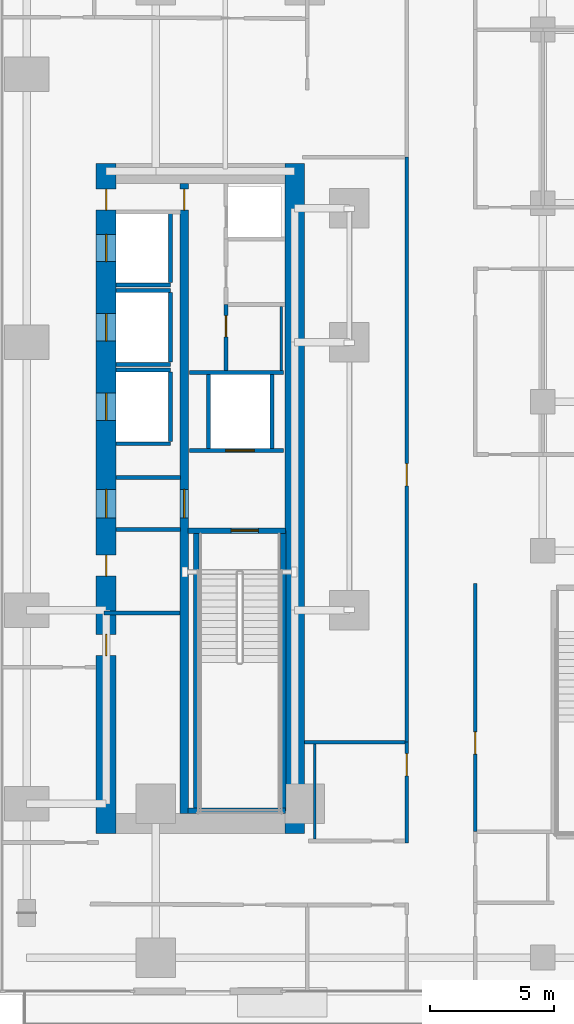
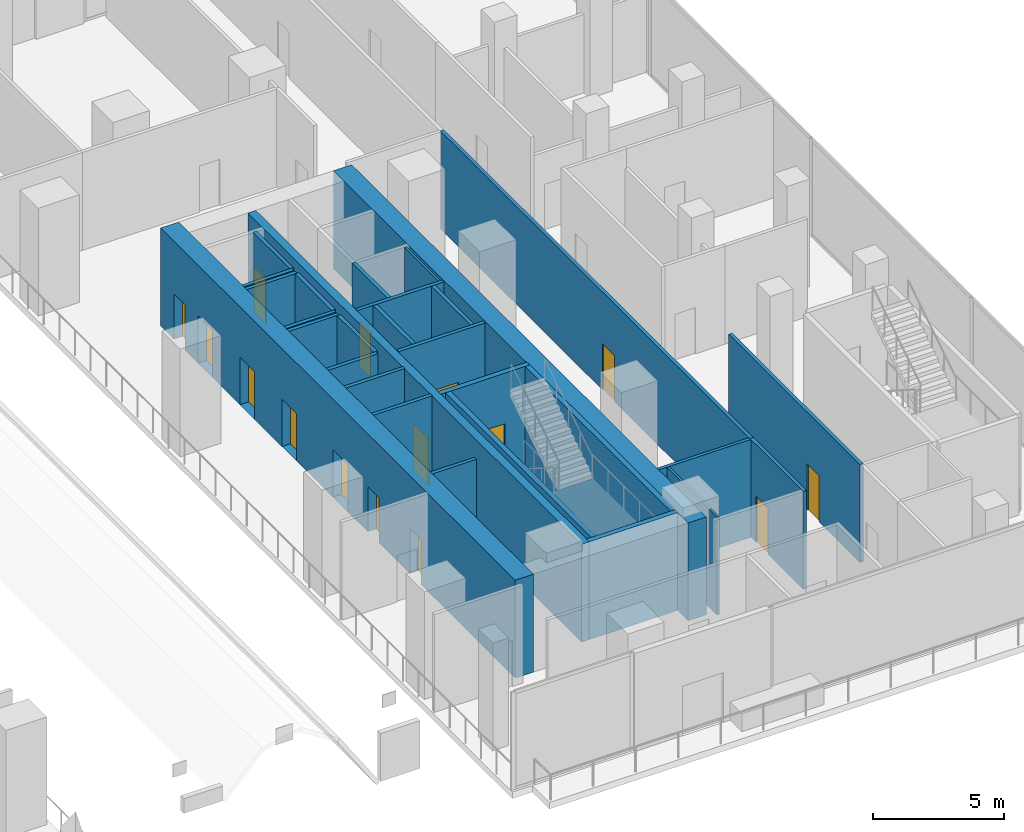
# One storey, part 12 of 32: 29 walls, 15 doors, 15 openings.
"""IFC4 building model written with IfcOpenShell, lengths in metres."""

from ifc_helpers import new_model, si_unit, direction, frame, frame_2d, origin, place, context, subcontext, project, spatial, rectangle, extrude, material, layer, layer_set, type_object, element, fill, save


model = new_model("IFC4")

# Units and contexts
model_context = context("Model", 3, precision=1e-05, world=origin(), true_north=direction((0.0, 1.0)))
body_context = subcontext(model_context, "Body", "Model", "MODEL_VIEW")
ifc_project = project(units=[si_unit("LENGTHUNIT", "METRE"), si_unit("AREAUNIT", "SQUARE_METRE"), si_unit("VOLUMEUNIT", "CUBIC_METRE"), si_unit("PLANEANGLEUNIT", "RADIAN"), si_unit("MASSUNIT", "GRAM", prefix="KILO")], contexts=[model_context])

# Site, building, storey
site_placement = place(None, origin())
site = spatial("IfcSite", under=ifc_project, at=site_placement, CompositionType="ELEMENT")
building_placement = place(site_placement, origin())
building = spatial("IfcBuilding", under=site, at=building_placement, Name="Khairoan Windgate Tower", CompositionType="ELEMENT")
storey_placement = place(building_placement, frame((0.0, 0.0, 16.0)))
storey = spatial("IfcBuildingStorey", under=building, at=storey_placement, Name="L04", CompositionType="ELEMENT", Elevation=16.0)

# Walls
ifc_material_1 = material(Name="Moisture-Resistant Gypsum Partition", Category="gypsum")
ifc_layer_1 = layer(ifc_material_1, 0.10009765625, Name="Moisture-Resistant Gypsum Partition")
ifc_layer_set_1 = layer_set([ifc_layer_1], Name="Moisture-Resistant Gypsum Partition")
wall_type_1 = type_object("IfcWallType", Name="Bathroom Wet-Area Partition Wall", PredefinedType="PARTITIONING", material=ifc_layer_set_1)
wall_1_placement = place(storey_placement, frame((19.449951171875, 1.449951171875, 0.0), z_axis=(0.0, 0.0, 1.0), x_axis=(0.0, -1.0, 0.0)))
element("IfcWall", 1, at=wall_1_placement, inside=storey, type_object=wall_type_1, Name="L04 Wet Room Side Wall 066", PredefinedType="PARTITIONING", context=body_context, shape_type="SweptSolid", body=[
    extrude(rectangle(XDim=2.58984375, YDim=0.10009765625, at=frame_2d((1.294921875, 0.0))), origin(), (0.0, 0.0, 1.0), 4.550048828125),
])
wall_2_placement = place(storey_placement, frame((20.800048828125, -20.02490234375, 0.0), z_axis=(0.0, 0.0, 1.0), x_axis=(0.0, 1.0, 0.0)))
element("IfcWall", 2, at=wall_2_placement, inside=storey, type_object=wall_type_1, Name="L04 Wet Room Side Wall 067", PredefinedType="PARTITIONING", context=body_context, shape_type="SweptSolid", body=[
    extrude(rectangle(XDim=3.8349609375, YDim=0.10009765625, at=frame_2d((1.91748046875, 0.0))), origin(), (0.0, 0.0, 1.0), 4.550048828125),
])
ifc_material_2 = material(Name="Concrete C40/50", Category="concrete")
ifc_layer_2 = layer(ifc_material_2, 0.159912109375, Name="Concrete C40/50")
ifc_layer_set_2 = layer_set([ifc_layer_2], Name="Concrete C40/50")
wall_type_2 = type_object("IfcWallType", Name="Core and Hoistway Enclosure Wall", PredefinedType="STANDARD", material=ifc_layer_set_2)
wall_3_placement = place(storey_placement, frame((12.800048828125, 2.31005859375, 0.0), z_axis=(0.0, 0.0, 1.0), x_axis=(1.0, 0.0, 0.0)))
element("IfcWall", 3, at=wall_3_placement, inside=storey, type_object=wall_type_2, Name="L04 Lift PL7 Hoistway Divider S", PredefinedType="STANDARD", context=body_context, shape_type="SweptSolid", body=[
    extrude(rectangle(XDim=2.18994140625, YDim=0.159912109375, at=frame_2d((1.094970703125, 0.0))), origin(), (0.0, 0.0, 1.0), 4.550048828125),
])
wall_4_placement = place(storey_placement, frame((14.989990234375, 2.39990234375, 0.0), z_axis=(0.0, 0.0, 1.0), x_axis=(0.0, 1.0, 0.0)))
element("IfcWall", 4, at=wall_4_placement, inside=storey, type_object=wall_type_2, Name="L04 Lift PL7 Hoistway Back Wall", PredefinedType="STANDARD", context=body_context, shape_type="SweptSolid", body=[
    extrude(rectangle(XDim=2.800048828125, YDim=0.159912109375, at=frame_2d((1.39990234375, 0.0))), origin(), (0.0, 0.0, 1.0), 4.550048828125),
])
for number, where, z_axis, x_axis, name in (
    (5, (12.800048828125, -0.889892578125, 0.0), (0.0, 0.0, 1.0), (1.0, 0.0, 0.0), "L04 Lift PL8 Hoistway Divider S"),
    (6, (12.800048828125, 2.090087890625, 0.0), (0.0, 0.0, 1.0), (1.0, 0.0, 0.0), "L04 Lift PL8 Hoistway Divider N"),
):
    element("IfcWall", number, at=place(storey_placement, frame(where, z_axis=z_axis, x_axis=x_axis)), inside=storey, type_object=wall_type_2, Name=name, PredefinedType="STANDARD", context=body_context, shape_type="SweptSolid", body=[
        extrude(rectangle(XDim=2.18994140625, YDim=0.159912109375, at=frame_2d((1.094970703125, 0.0))), origin(), (0.0, 0.0, 1.0), 4.550048828125),
    ])
wall_5_placement = place(storey_placement, frame((14.989990234375, -0.800048828125, 0.0), z_axis=(0.0, 0.0, 1.0), x_axis=(0.0, 1.0, 0.0)))
element("IfcWall", 7, at=wall_5_placement, inside=storey, type_object=wall_type_2, Name="L04 Lift PL8 Hoistway Back Wall", PredefinedType="STANDARD", context=body_context, shape_type="SweptSolid", body=[
    extrude(rectangle(XDim=2.800048828125, YDim=0.159912109375, at=frame_2d((1.39990234375, 0.0))), origin(), (0.0, 0.0, 1.0), 4.550048828125),
])
for number, where, z_axis, x_axis, name in (
    (8, (12.800048828125, -4.090087890625, 0.0), (0.0, 0.0, 1.0), (1.0, 0.0, 0.0), "L04 Lift PL9 Hoistway Divider S"),
    (9, (12.800048828125, -1.110107421875, 0.0), (0.0, 0.0, 1.0), (1.0, 0.0, 0.0), "L04 Lift PL9 Hoistway Divider N"),
):
    element("IfcWall", number, at=place(storey_placement, frame(where, z_axis=z_axis, x_axis=x_axis)), inside=storey, type_object=wall_type_2, Name=name, PredefinedType="STANDARD", context=body_context, shape_type="SweptSolid", body=[
        extrude(rectangle(XDim=2.18994140625, YDim=0.159912109375, at=frame_2d((1.094970703125, 0.0))), origin(), (0.0, 0.0, 1.0), 4.550048828125),
    ])
wall_6_placement = place(storey_placement, frame((14.989990234375, -4.0, 0.0), z_axis=(0.0, 0.0, 1.0), x_axis=(0.0, 1.0, 0.0)))
element("IfcWall", 10, at=wall_6_placement, inside=storey, type_object=wall_type_2, Name="L04 Lift PL9 Hoistway Back Wall", PredefinedType="STANDARD", context=body_context, shape_type="SweptSolid", body=[
    extrude(rectangle(XDim=2.800048828125, YDim=0.159912109375, at=frame_2d((1.39990234375, 0.0))), origin(), (0.0, 0.0, 1.0), 4.550048828125),
])

# Wall, opening, door
wall_7_placement = place(storey_placement, frame((15.75, -4.360107421875, 0.0), z_axis=(0.0, 0.0, 1.0), x_axis=(1.0, 0.0, 0.0)))
wall_7 = element("IfcWall", 11, at=wall_7_placement, inside=storey, type_object=wall_type_2, Name="L04 Core Shaft Wall SW-FL1-L04", PredefinedType="STANDARD", context=body_context, shape_type="SweptSolid", body=[
    extrude(rectangle(XDim=3.800048828125, YDim=0.159912109375, at=frame_2d((1.89990234375, 0.0))), origin(), (0.0, 0.0, 1.0), 4.550048828125),
])
opening_1_placement = place(wall_7_placement, frame((1.469970703125, 0.0, 0.0)))
opening_1 = element("IfcOpeningElement", 12, at=opening_1_placement, cuts=wall_7, Name="Opening LD-FL", PredefinedType="OPENING", context=body_context, shape_type="SweptSolid", body=[
    extrude(rectangle(XDim=1.14990234375, YDim=2.199951171875, at=frame_2d((0.574951171875, 1.10009765625))), frame((0.0, 0.08984375, 0.0), z_axis=(0.0, -1.0, 0.0), x_axis=(1.0, 0.0, 0.0)), (0.0, 0.0, 1.0), 0.179931640625),
])
ifc_material_3 = material(Name="Steel S355", Category="steel")
door_type_1 = type_object("IfcDoorType", Name="Firefighting Lift Sliding Landing Door LD-FL 1150x2200", OperationType="DOUBLE_DOOR_SLIDING", PredefinedType="DOOR", material=ifc_material_3)
door_1_placement = place(opening_1_placement, origin())
door_1 = element("IfcDoor", 13, at=door_1_placement, inside=storey, type_object=door_type_1, Name="L04 Firefighting Lift FL1 Landing Door", OperationType="DOUBLE_DOOR_SLIDING", OverallHeight=2.199951171875, OverallWidth=1.14990234375, PredefinedType="DOOR", context=body_context, shape_type="SweptSolid", body=[
    extrude(rectangle(XDim=1.14990234375, YDim=2.199951171875, at=frame_2d((0.574951171875, 1.10009765625))), frame((0.0, 0.02490234375, 0.0), z_axis=(0.0, -1.0, 0.0), x_axis=(1.0, 0.0, 0.0)), (0.0, 0.0, 1.0), 0.050048828125),
])
fill(opening_1, door_1)

# Walls
wall_8_placement = place(storey_placement, frame((15.75, -1.219970703125, 0.0), z_axis=(0.0, 0.0, 1.0), x_axis=(1.0, 0.0, 0.0)))
element("IfcWall", 14, at=wall_8_placement, inside=storey, type_object=wall_type_2, Name="L04 Core Shaft Wall SW-FL1T-L04", PredefinedType="STANDARD", context=body_context, shape_type="SweptSolid", body=[
    extrude(rectangle(XDim=3.800048828125, YDim=0.159912109375, at=frame_2d((1.89990234375, 0.0))), origin(), (0.0, 0.0, 1.0), 4.550048828125),
])
for number, where, z_axis, x_axis, name in (
    (15, (16.52001953125, -4.280029296875, 0.0), (0.0, 0.0, 1.0), (0.0, 1.0, 0.0), "L04 Core Shaft Wall SW-FL1W-L04"),
    (16, (19.080078125, -4.280029296875, 0.0), (0.0, 0.0, 1.0), (0.0, 1.0, 0.0), "L04 Core Shaft Wall SW-FL1E-L04"),
):
    element("IfcWall", number, at=place(storey_placement, frame(where, z_axis=z_axis, x_axis=x_axis)), inside=storey, type_object=wall_type_2, Name=name, PredefinedType="STANDARD", context=body_context, shape_type="SweptSolid", body=[
        extrude(rectangle(XDim=2.97998046875, YDim=0.159912109375, at=frame_2d((1.489990234375, 0.0))), origin(), (0.0, 0.0, 1.0), 4.550048828125),
    ])
for number, where, z_axis, x_axis, name in (
    (17, (12.800048828125, -5.449951171875, 0.0), (0.0, 0.0, 1.0), (1.0, 0.0, 0.0), "L04 Core Shaft Wall SW-EV1-L04"),
    (18, (12.800048828125, -7.5400390625, 0.0), (0.0, 0.0, 1.0), (1.0, 0.0, 0.0), "L04 Core Shaft Wall SW-EV2-L04"),
):
    element("IfcWall", number, at=place(storey_placement, frame(where, z_axis=z_axis, x_axis=x_axis)), inside=storey, type_object=wall_type_2, Name=name, PredefinedType="STANDARD", context=body_context, shape_type="SweptSolid", body=[
        extrude(rectangle(XDim=2.599853515625, YDim=0.159912109375, at=frame_2d((1.2998046875, 0.0))), origin(), (0.0, 0.0, 1.0), 4.550048828125),
    ])
ifc_material_4 = material(Name="Acoustic Fire-Rated Gypsum Partition", Category="gypsum")
ifc_layer_3 = layer(ifc_material_4, 0.139892578125, Name="Acoustic Fire-Rated Gypsum Partition")
ifc_layer_set_3 = layer_set([ifc_layer_3], Name="Acoustic Fire-Rated Gypsum Partition")
wall_type_3 = type_object("IfcWallType", Name="Inter-Tenancy Compartment Wall", PredefinedType="PARTITIONING", material=ifc_layer_set_3)
wall_9_placement = place(storey_placement, frame((20.39990234375, -16.1201171875, 0.0), z_axis=(0.0, 0.0, 1.0), x_axis=(1.0, 0.0, 0.0)))
element("IfcWall", 19, at=wall_9_placement, inside=storey, type_object=wall_type_3, Name="L04 Interior Partition 062", PredefinedType="PARTITIONING", context=body_context, shape_type="SweptSolid", body=[
    extrude(rectangle(XDim=4.045166015625, YDim=0.139892578125, at=frame_2d((2.0224609375, 0.0))), origin(), (0.0, 0.0, 1.0), 4.550048828125),
])

# Wall, opening, door
ifc_material_5 = material(Name="Concrete C40/50", Category="concrete")
ifc_layer_4 = layer(ifc_material_5, 0.159912109375, Name="Concrete C40/50")
ifc_layer_set_4 = layer_set([ifc_layer_4], Name="Concrete C40/50")
wall_type_4 = type_object("IfcWallType", Name="Plant and Refuge Compartment Wall", PredefinedType="PARTITIONING", material=ifc_layer_set_4)
wall_10_placement = place(storey_placement, frame((17.22998046875, -1.139892578125, 0.0), z_axis=(0.0, 0.0, 1.0), x_axis=(0.0, 1.0, 0.0)))
wall_10 = element("IfcWall", 20, at=wall_10_placement, inside=storey, type_object=wall_type_4, Name="L04 Interior Partition 005", PredefinedType="PARTITIONING", context=body_context, shape_type="SweptSolid", body=[
    extrude(rectangle(XDim=2.669921875, YDim=0.159912109375, at=frame_2d((1.3349609375, 0.0))), origin(), (0.0, 0.0, 1.0), 4.550048828125),
])
opening_2_placement = place(wall_10_placement, frame((1.360107421875, 0.0, 0.0)))
opening_2 = element("IfcOpeningElement", 21, at=opening_2_placement, cuts=wall_10, Name="Opening FD-SRV", PredefinedType="OPENING", context=body_context, shape_type="SweptSolid", body=[
    extrude(rectangle(XDim=0.85009765625, YDim=2.10009765625, at=frame_2d((0.425048828125, 1.050048828125))), frame((0.0, 0.08984375, 0.0), z_axis=(0.0, -1.0, 0.0), x_axis=(1.0, 0.0, 0.0)), (0.0, 0.0, 1.0), 0.179931640625),
])
ifc_material_6 = material(Name="Steel S355", Category="steel")
door_type_2 = type_object("IfcDoorType", Name="Core Service and Riser Fire Door FD-SRV 850x2100", OperationType="NOTDEFINED", PredefinedType="DOOR", material=ifc_material_6)
door_2_placement = place(opening_2_placement, origin())
door_2 = element("IfcDoor", 22, at=door_2_placement, inside=storey, type_object=door_type_2, Name="L04 L04-18-L04-20 Door", OperationType="SINGLE_SWING_LEFT", OverallHeight=2.10009765625, OverallWidth=0.85009765625, PredefinedType="DOOR", context=body_context, shape_type="SweptSolid", body=[
    extrude(rectangle(XDim=0.85009765625, YDim=2.10009765625, at=frame_2d((0.425048828125, 1.050048828125))), frame((0.0, 0.02490234375, 0.0), z_axis=(0.0, -1.0, 0.0), x_axis=(1.0, 0.0, 0.0)), (0.0, 0.0, 1.0), 0.050048828125),
])
fill(opening_2, door_2)

# Wall
wall_11_placement = place(storey_placement, frame((12.31005859375, -10.919921875, 0.0), z_axis=(0.0, 0.0, 1.0), x_axis=(1.0, 0.0, 0.0)))
element("IfcWall", 23, at=wall_11_placement, inside=storey, type_object=wall_type_4, Name="L04 Interior Partition 009", PredefinedType="PARTITIONING", context=body_context, shape_type="SweptSolid", body=[
    extrude(rectangle(XDim=3.06494140625, YDim=0.159912109375, at=frame_2d((1.532470703125, 0.0))), origin(), (0.0, 0.0, 1.0), 3.64990234375),
])

# Wall, opening, door
ifc_material_7 = material(Name="Acoustic Fire-Rated Gypsum Partition", Category="gypsum")
ifc_layer_5 = layer(ifc_material_7, 0.14990234375, Name="Acoustic Fire-Rated Gypsum Partition")
ifc_layer_set_5 = layer_set([ifc_layer_5], Name="Acoustic Fire-Rated Gypsum Partition")
wall_type_5 = type_object("IfcWallType", Name="Rated Corridor Partition Wall", PredefinedType="PARTITIONING", material=ifc_layer_set_5)
wall_12_placement = place(storey_placement, frame((24.52001953125, -20.175048828125, 0.0), z_axis=(0.0, 0.0, 1.0), x_axis=(0.0, 1.0, 0.0)))
wall_12 = element("IfcWall", 24, at=wall_12_placement, inside=storey, type_object=wall_type_5, Name="L04 Interior Partition 044", PredefinedType="PARTITIONING", context=body_context, shape_type="SweptSolid", body=[
    extrude(rectangle(XDim=4.054931640625, YDim=0.14990234375, at=frame_2d((2.02734375, 0.0))), origin(), (0.0, 0.0, 1.0), 4.550048828125),
])
opening_3_placement = place(wall_12_placement, frame((2.695068359375, 0.0, 0.0)))
opening_3 = element("IfcOpeningElement", 25, at=opening_3_placement, cuts=wall_12, Name="Opening FD-ENT", PredefinedType="OPENING", context=body_context, shape_type="SweptSolid", body=[
    extrude(rectangle(XDim=0.89990234375, YDim=2.14990234375, at=frame_2d((0.449951171875, 1.074951171875))), frame((0.0, 0.0849609375, 0.0), z_axis=(0.0, -1.0, 0.0), x_axis=(1.0, 0.0, 0.0)), (0.0, 0.0, 1.0), 0.169921875),
])
ifc_material_8 = material(Name="Timber Fire-Rated Core", Category="wood")
door_type_3 = type_object("IfcDoorType", Name="Unit and Office Fire Entrance Door FD-ENT 900x2150", OperationType="NOTDEFINED", PredefinedType="DOOR", material=ifc_material_8)
door_3_placement = place(opening_3_placement, origin())
door_3 = element("IfcDoor", 26, at=door_3_placement, inside=storey, type_object=door_type_3, Name="L04 L04-45-L04-57 Door", OperationType="SINGLE_SWING_LEFT", OverallHeight=2.14990234375, OverallWidth=0.89990234375, PredefinedType="DOOR", context=body_context, shape_type="SweptSolid", body=[
    extrude(rectangle(XDim=0.89990234375, YDim=2.14990234375, at=frame_2d((0.449951171875, 1.074951171875))), frame((0.0, 0.02490234375, 0.0), z_axis=(0.0, -1.0, 0.0), x_axis=(1.0, 0.0, 0.0)), (0.0, 0.0, 1.0), 0.050048828125),
])
fill(opening_3, door_3)

wall_13_placement = place(storey_placement, frame((24.52001953125, -16.1201171875, 0.0), z_axis=(0.0, 0.0, 1.0), x_axis=(0.0, 1.0, 0.0)))
wall_13 = element("IfcWall", 27, at=wall_13_placement, inside=storey, type_object=wall_type_5, Name="L04 Interior Partition 046", PredefinedType="PARTITIONING", context=body_context, shape_type="SweptSolid", body=[
    extrude(rectangle(XDim=23.580078125, YDim=0.14990234375, at=frame_2d((11.7900390625, 0.0))), origin(), (0.0, 0.0, 1.0), 4.550048828125),
])
opening_4_placement = place(wall_13_placement, frame((10.33251953125, 0.0, 0.0)))
opening_4 = element("IfcOpeningElement", 28, at=opening_4_placement, cuts=wall_13, Name="Opening FD-ENT", PredefinedType="OPENING", context=body_context, shape_type="SweptSolid", body=[
    extrude(rectangle(XDim=0.89990234375, YDim=2.14990234375, at=frame_2d((0.449951171875, 1.074951171875))), frame((0.0, 0.0849609375, 0.0), z_axis=(0.0, -1.0, 0.0), x_axis=(1.0, 0.0, 0.0)), (0.0, 0.0, 1.0), 0.169921875),
])
door_4_placement = place(opening_4_placement, origin())
door_4 = element("IfcDoor", 29, at=door_4_placement, inside=storey, type_object=door_type_3, Name="L04 L04-45-L04-61 Door", OperationType="SINGLE_SWING_LEFT", OverallHeight=2.14990234375, OverallWidth=0.89990234375, PredefinedType="DOOR", context=body_context, shape_type="SweptSolid", body=[
    extrude(rectangle(XDim=0.89990234375, YDim=2.14990234375, at=frame_2d((0.449951171875, 1.074951171875))), frame((0.0, 0.02490234375, 0.0), z_axis=(0.0, -1.0, 0.0), x_axis=(1.0, 0.0, 0.0)), (0.0, 0.0, 1.0), 0.050048828125),
])
fill(opening_4, door_4)

wall_14_placement = place(storey_placement, frame((27.280029296875, -19.719970703125, 0.0), z_axis=(0.0, 0.0, 1.0), x_axis=(0.0, 1.0, 0.0)))
wall_14 = element("IfcWall", 30, at=wall_14_placement, inside=storey, type_object=wall_type_5, Name="L04 Interior Partition 048", PredefinedType="PARTITIONING", context=body_context, shape_type="SweptSolid", body=[
    extrude(rectangle(XDim=10.0, YDim=0.14990234375, at=frame_2d((5.0, 0.0))), origin(), (0.0, 0.0, 1.0), 4.550048828125),
])
opening_5_placement = place(wall_14_placement, frame((3.118408203125, 0.0, 0.0)))
opening_5 = element("IfcOpeningElement", 31, at=opening_5_placement, cuts=wall_14, Name="Opening FD-ENT", PredefinedType="OPENING", context=body_context, shape_type="SweptSolid", body=[
    extrude(rectangle(XDim=0.89990234375, YDim=2.14990234375, at=frame_2d((0.449951171875, 1.074951171875))), frame((0.0, 0.0849609375, 0.0), z_axis=(0.0, -1.0, 0.0), x_axis=(1.0, 0.0, 0.0)), (0.0, 0.0, 1.0), 0.169921875),
])
door_5_placement = place(opening_5_placement, origin())
door_5 = element("IfcDoor", 32, at=door_5_placement, inside=storey, type_object=door_type_3, Name="L04 L04-45-L04-63 Door", OperationType="SINGLE_SWING_LEFT", OverallHeight=2.14990234375, OverallWidth=0.89990234375, PredefinedType="DOOR", context=body_context, shape_type="SweptSolid", body=[
    extrude(rectangle(XDim=0.89990234375, YDim=2.14990234375, at=frame_2d((0.449951171875, 1.074951171875))), frame((0.0, 0.02490234375, 0.0), z_axis=(0.0, -1.0, 0.0), x_axis=(1.0, 0.0, 0.0)), (0.0, 0.0, 1.0), 0.050048828125),
])
fill(opening_5, door_5)

# Wall, openings, doors
ifc_material_9 = material(Name="Concrete C70/85", Category="concrete")
ifc_layer_6 = layer(ifc_material_9, 0.800048828125, Name="Concrete C70/85")
ifc_layer_set_6 = layer_set([ifc_layer_6], Name="Concrete C70/85")
wall_type_6 = type_object("IfcWallType", Name="Shear Wall CW-E1 800mm", PredefinedType="SHEAR", material=ifc_layer_set_6)
wall_15_placement = place(storey_placement, frame((12.39990234375, -19.800048828125, 0.0), z_axis=(0.0, 0.0, 1.0), x_axis=(0.0, 1.0, 0.0)))
wall_15 = element("IfcWall", 33, at=wall_15_placement, inside=storey, type_object=wall_type_6, Name="E Core West Shear Wall L04", PredefinedType="SHEAR", context=body_context, shape_type="SweptSolid", body=[
    extrude(rectangle(XDim=27.0, YDim=0.800048828125, at=frame_2d((13.5, 0.0))), origin(), (0.0, 0.0, 1.0), 4.550048828125),
])
opening_6_placement = place(wall_15_placement, frame((23.050048828125, 0.0, 0.0)))
opening_6 = element("IfcOpeningElement", 34, at=opening_6_placement, cuts=wall_15, Name="Opening LD-PL", PredefinedType="OPENING", context=body_context, shape_type="SweptSolid", body=[
    extrude(rectangle(XDim=1.10009765625, YDim=2.199951171875, at=frame_2d((0.550048828125, 1.10009765625))), frame((0.0, 0.409912109375, 0.0), z_axis=(0.0, -1.0, 0.0), x_axis=(1.0, 0.0, 0.0)), (0.0, 0.0, 1.0), 0.820068359375),
])
opening_7_placement = place(wall_15_placement, frame((19.85009765625, 0.0, 0.0)))
opening_7 = element("IfcOpeningElement", 35, at=opening_7_placement, cuts=wall_15, Name="Opening LD-PL", PredefinedType="OPENING", context=body_context, shape_type="SweptSolid", body=[
    extrude(rectangle(XDim=1.10009765625, YDim=2.199951171875, at=frame_2d((0.550048828125, 1.10009765625))), frame((0.0, 0.409912109375, 0.0), z_axis=(0.0, -1.0, 0.0), x_axis=(1.0, 0.0, 0.0)), (0.0, 0.0, 1.0), 0.820068359375),
])
opening_8_placement = place(wall_15_placement, frame((16.64990234375, 0.0, 0.0)))
opening_8 = element("IfcOpeningElement", 36, at=opening_8_placement, cuts=wall_15, Name="Opening LD-PL", PredefinedType="OPENING", context=body_context, shape_type="SweptSolid", body=[
    extrude(rectangle(XDim=1.10009765625, YDim=2.199951171875, at=frame_2d((0.550048828125, 1.10009765625))), frame((0.0, 0.409912109375, 0.0), z_axis=(0.0, -1.0, 0.0), x_axis=(1.0, 0.0, 0.0)), (0.0, 0.0, 1.0), 0.820068359375),
])
opening_9_placement = place(wall_15_placement, frame((7.175048828125, 0.0, 0.0)))
opening_9 = element("IfcOpeningElement", 37, at=opening_9_placement, cuts=wall_15, Name="Opening FD-SRV", PredefinedType="OPENING", context=body_context, shape_type="SweptSolid", body=[
    extrude(rectangle(XDim=0.85009765625, YDim=2.10009765625, at=frame_2d((0.425048828125, 1.050048828125))), frame((0.0, 0.409912109375, 0.0), z_axis=(0.0, -1.0, 0.0), x_axis=(1.0, 0.0, 0.0)), (0.0, 0.0, 1.0), 0.820068359375),
])
opening_10_placement = place(wall_15_placement, frame((10.375, 0.0, 0.0)))
opening_10 = element("IfcOpeningElement", 38, at=opening_10_placement, cuts=wall_15, Name="Opening FD-SRV", PredefinedType="OPENING", context=body_context, shape_type="SweptSolid", body=[
    extrude(rectangle(XDim=0.85009765625, YDim=2.10009765625, at=frame_2d((0.425048828125, 1.050048828125))), frame((0.0, 0.409912109375, 0.0), z_axis=(0.0, -1.0, 0.0), x_axis=(1.0, 0.0, 0.0)), (0.0, 0.0, 1.0), 0.820068359375),
])
opening_11_placement = place(wall_15_placement, frame((12.72509765625, 0.0, 0.0)))
opening_11 = element("IfcOpeningElement", 39, at=opening_11_placement, cuts=wall_15, Name="Opening FD-FFL", PredefinedType="OPENING", context=body_context, shape_type="SweptSolid", body=[
    extrude(rectangle(XDim=1.14990234375, YDim=2.199951171875, at=frame_2d((0.574951171875, 1.10009765625))), frame((0.0, 0.409912109375, 0.0), z_axis=(0.0, -1.0, 0.0), x_axis=(1.0, 0.0, 0.0)), (0.0, 0.0, 1.0), 0.820068359375),
])
opening_12_placement = place(wall_15_placement, frame((25.125, 0.0, 0.0)))
opening_12 = element("IfcOpeningElement", 40, at=opening_12_placement, cuts=wall_15, Name="Opening FD-SRV", PredefinedType="OPENING", context=body_context, shape_type="SweptSolid", body=[
    extrude(rectangle(XDim=0.85009765625, YDim=2.10009765625, at=frame_2d((0.425048828125, 1.050048828125))), frame((0.0, 0.409912109375, 0.0), z_axis=(0.0, -1.0, 0.0), x_axis=(1.0, 0.0, 0.0)), (0.0, 0.0, 1.0), 0.820068359375),
])
door_6_placement = place(opening_9_placement, origin())
door_6 = element("IfcDoor", 41, at=door_6_placement, inside=storey, type_object=door_type_2, Name="L04 East Core Service Room Door 1", OperationType="SINGLE_SWING_RIGHT", OverallHeight=2.10009765625, OverallWidth=0.85009765625, PredefinedType="DOOR", context=body_context, shape_type="SweptSolid", body=[
    extrude(rectangle(XDim=0.85009765625, YDim=2.10009765625, at=frame_2d((0.425048828125, 1.050048828125))), frame((0.0, 0.02490234375, 0.0), z_axis=(0.0, -1.0, 0.0), x_axis=(1.0, 0.0, 0.0)), (0.0, 0.0, 1.0), 0.050048828125),
])
fill(opening_9, door_6)
door_7_placement = place(opening_10_placement, origin())
door_7 = element("IfcDoor", 42, at=door_7_placement, inside=storey, type_object=door_type_2, Name="L04 East Core Service Room Door 2", OperationType="SINGLE_SWING_LEFT", OverallHeight=2.10009765625, OverallWidth=0.85009765625, PredefinedType="DOOR", context=body_context, shape_type="SweptSolid", body=[
    extrude(rectangle(XDim=0.85009765625, YDim=2.10009765625, at=frame_2d((0.425048828125, 1.050048828125))), frame((0.0, 0.02490234375, 0.0), z_axis=(0.0, -1.0, 0.0), x_axis=(1.0, 0.0, 0.0)), (0.0, 0.0, 1.0), 0.050048828125),
])
fill(opening_10, door_7)
door_8_placement = place(opening_12_placement, origin())
door_8 = element("IfcDoor", 43, at=door_8_placement, inside=storey, type_object=door_type_2, Name="L04 East Core Service Vestibule Outer Door", OperationType="SINGLE_SWING_RIGHT", OverallHeight=2.10009765625, OverallWidth=0.85009765625, PredefinedType="DOOR", context=body_context, shape_type="SweptSolid", body=[
    extrude(rectangle(XDim=0.85009765625, YDim=2.10009765625, at=frame_2d((0.425048828125, 1.050048828125))), frame((0.0, 0.02490234375, 0.0), z_axis=(0.0, -1.0, 0.0), x_axis=(1.0, 0.0, 0.0)), (0.0, 0.0, 1.0), 0.050048828125),
])
fill(opening_12, door_8)
ifc_material_10 = material(Name="Steel S355", Category="steel")
door_type_4 = type_object("IfcDoorType", Name="Firefighting Lobby Fire Door FD-FFL 1150x2200", OperationType="NOTDEFINED", PredefinedType="DOOR", material=ifc_material_10)
door_9_placement = place(opening_11_placement, origin())
door_9 = element("IfcDoor", 44, at=door_9_placement, inside=storey, type_object=door_type_4, Name="L04 East Core Vestibule Entry Door", OperationType="SINGLE_SWING_RIGHT", OverallHeight=2.199951171875, OverallWidth=1.14990234375, PredefinedType="DOOR", context=body_context, shape_type="SweptSolid", body=[
    extrude(rectangle(XDim=1.14990234375, YDim=2.199951171875, at=frame_2d((0.574951171875, 1.10009765625))), frame((0.0, 0.02490234375, 0.0), z_axis=(0.0, -1.0, 0.0), x_axis=(1.0, 0.0, 0.0)), (0.0, 0.0, 1.0), 0.050048828125),
])
fill(opening_11, door_9)
ifc_material_11 = material(Name="Anodised Bronze Aluminium 6063-T6", Category="aluminium")
door_type_5 = type_object("IfcDoorType", Name="Passenger Lift Sliding Landing Door LD-PL 1100x2200", OperationType="DOUBLE_DOOR_SLIDING", PredefinedType="DOOR", material=ifc_material_11)
door_10_placement = place(opening_6_placement, origin())
door_10 = element("IfcDoor", 45, at=door_10_placement, inside=storey, type_object=door_type_5, Name="L04 Lift PL7 Sliding Landing Door", OperationType="DOUBLE_DOOR_SLIDING", OverallHeight=2.199951171875, OverallWidth=1.10009765625, PredefinedType="DOOR", context=body_context, shape_type="SweptSolid", body=[
    extrude(rectangle(XDim=1.10009765625, YDim=2.199951171875, at=frame_2d((0.550048828125, 1.10009765625))), frame((0.0, 0.02490234375, 0.0), z_axis=(0.0, -1.0, 0.0), x_axis=(1.0, 0.0, 0.0)), (0.0, 0.0, 1.0), 0.050048828125),
])
fill(opening_6, door_10)
door_11_placement = place(opening_7_placement, origin())
door_11 = element("IfcDoor", 46, at=door_11_placement, inside=storey, type_object=door_type_5, Name="L04 Lift PL8 Sliding Landing Door", OperationType="DOUBLE_DOOR_SLIDING", OverallHeight=2.199951171875, OverallWidth=1.10009765625, PredefinedType="DOOR", context=body_context, shape_type="SweptSolid", body=[
    extrude(rectangle(XDim=1.10009765625, YDim=2.199951171875, at=frame_2d((0.550048828125, 1.10009765625))), frame((0.0, 0.02490234375, 0.0), z_axis=(0.0, -1.0, 0.0), x_axis=(1.0, 0.0, 0.0)), (0.0, 0.0, 1.0), 0.050048828125),
])
fill(opening_7, door_11)
door_12_placement = place(opening_8_placement, origin())
door_12 = element("IfcDoor", 47, at=door_12_placement, inside=storey, type_object=door_type_5, Name="L04 Lift PL9 Sliding Landing Door", OperationType="DOUBLE_DOOR_SLIDING", OverallHeight=2.199951171875, OverallWidth=1.10009765625, PredefinedType="DOOR", context=body_context, shape_type="SweptSolid", body=[
    extrude(rectangle(XDim=1.10009765625, YDim=2.199951171875, at=frame_2d((0.550048828125, 1.10009765625))), frame((0.0, 0.02490234375, 0.0), z_axis=(0.0, -1.0, 0.0), x_axis=(1.0, 0.0, 0.0)), (0.0, 0.0, 1.0), 0.050048828125),
])
fill(opening_8, door_12)

# Wall
wall_16_placement = place(storey_placement, frame((20.0, -19.800048828125, 0.0), z_axis=(0.0, 0.0, 1.0), x_axis=(0.0, 1.0, 0.0)))
element("IfcWall", 48, at=wall_16_placement, inside=storey, type_object=wall_type_6, Name="E Core East Shear Wall L04", PredefinedType="SHEAR", context=body_context, shape_type="SweptSolid", body=[
    extrude(rectangle(XDim=27.0, YDim=0.800048828125, at=frame_2d((13.5, 0.0))), origin(), (0.0, 0.0, 1.0), 4.550048828125),
])

# Wall, openings, doors
ifc_material_12 = material(Name="Concrete C60/75", Category="concrete")
ifc_layer_7 = layer(ifc_material_12, 0.35009765625, Name="Concrete C60/75")
ifc_layer_set_7 = layer_set([ifc_layer_7], Name="Concrete C60/75")
wall_type_7 = type_object("IfcWallType", Name="Shear Wall SW-1 350mm", PredefinedType="SHEAR", material=ifc_layer_set_7)
wall_17_placement = place(storey_placement, frame((15.550048828125, -19.0, 0.0), z_axis=(0.0, 0.0, 1.0), x_axis=(0.0, 1.0, 0.0)))
wall_17 = element("IfcWall", 49, at=wall_17_placement, inside=storey, type_object=wall_type_7, Name="E Core Spine Shear Wall L04", PredefinedType="SHEAR", context=body_context, shape_type="SweptSolid", body=[
    extrude(rectangle(XDim=25.39990234375, YDim=0.35009765625, at=frame_2d((12.699951171875, 0.0))), origin(), (0.0, 0.0, 1.0), 4.550048828125),
])
opening_13_placement = place(wall_17_placement, frame((11.925048828125, 0.0, 0.0)))
opening_13 = element("IfcOpeningElement", 50, at=opening_13_placement, cuts=wall_17, Name="Opening FD-FFL", PredefinedType="OPENING", context=body_context, shape_type="SweptSolid", body=[
    extrude(rectangle(XDim=1.14990234375, YDim=2.199951171875, at=frame_2d((0.574951171875, 1.10009765625))), frame((0.0, 0.18505859375, 0.0), z_axis=(0.0, -1.0, 0.0), x_axis=(1.0, 0.0, 0.0)), (0.0, 0.0, 1.0), 0.3701171875),
])
opening_14_placement = place(wall_17_placement, frame((24.324951171875, 0.0, 0.0)))
opening_14 = element("IfcOpeningElement", 51, at=opening_14_placement, cuts=wall_17, Name="Opening FD-SRV", PredefinedType="OPENING", context=body_context, shape_type="SweptSolid", body=[
    extrude(rectangle(XDim=0.85009765625, YDim=2.10009765625, at=frame_2d((0.425048828125, 1.050048828125))), frame((0.0, 0.18505859375, 0.0), z_axis=(0.0, -1.0, 0.0), x_axis=(1.0, 0.0, 0.0)), (0.0, 0.0, 1.0), 0.3701171875),
])
door_13_placement = place(opening_14_placement, origin())
door_13 = element("IfcDoor", 52, at=door_13_placement, inside=storey, type_object=door_type_2, Name="L04 East Core Service Passage Inner Door", OperationType="SINGLE_SWING_LEFT", OverallHeight=2.10009765625, OverallWidth=0.85009765625, PredefinedType="DOOR", context=body_context, shape_type="SweptSolid", body=[
    extrude(rectangle(XDim=0.85009765625, YDim=2.10009765625, at=frame_2d((0.425048828125, 1.050048828125))), frame((0.0, 0.02490234375, 0.0), z_axis=(0.0, -1.0, 0.0), x_axis=(1.0, 0.0, 0.0)), (0.0, 0.0, 1.0), 0.050048828125),
])
fill(opening_14, door_13)
door_14_placement = place(opening_13_placement, origin())
door_14 = element("IfcDoor", 53, at=door_14_placement, inside=storey, type_object=door_type_4, Name="L04 East Firefighting Lobby Fire Door", OperationType="SINGLE_SWING_LEFT", OverallHeight=2.199951171875, OverallWidth=1.14990234375, PredefinedType="DOOR", context=body_context, shape_type="SweptSolid", body=[
    extrude(rectangle(XDim=1.14990234375, YDim=2.199951171875, at=frame_2d((0.574951171875, 1.10009765625))), frame((0.0, 0.02490234375, 0.0), z_axis=(0.0, -1.0, 0.0), x_axis=(1.0, 0.0, 0.0)), (0.0, 0.0, 1.0), 0.050048828125),
])
fill(opening_13, door_14)

# Walls
ifc_material_13 = material(Name="Concrete C50/60", Category="concrete")
ifc_layer_8 = layer(ifc_material_13, 0.219970703125, Name="Concrete C50/60")
ifc_layer_set_8 = layer_set([ifc_layer_8], Name="Concrete C50/60")
wall_type_8 = type_object("IfcWallType", Name="Shear Wall SW-ST 220mm", PredefinedType="SHEAR", material=ifc_layer_set_8)
for number, where, z_axis, x_axis, name in (
    (54, (16.0400390625, -18.889892578125, 0.0), (0.0, 0.0, 1.0), (0.0, 1.0, 0.0), "L04 Stair ST1 West Bearing Wall"),
    (55, (19.530029296875, -18.889892578125, 0.0), (0.0, 0.0, 1.0), (0.0, 1.0, 0.0), "L04 Stair ST1 East Bearing Wall"),
):
    element("IfcWall", number, at=place(storey_placement, frame(where, z_axis=z_axis, x_axis=x_axis)), inside=storey, type_object=wall_type_8, Name=name, PredefinedType="SHEAR", context=body_context, shape_type="SweptSolid", body=[
        extrude(rectangle(XDim=11.2998046875, YDim=0.219970703125, at=frame_2d((5.64990234375, 0.0))), origin(), (0.0, 0.0, 1.0), 4.550048828125),
    ])
wall_18_placement = place(storey_placement, frame((15.705078125, -18.889892578125, 0.0), z_axis=(0.0, 0.0, 1.0), x_axis=(1.0, 0.0, 0.0)))
element("IfcWall", 56, at=wall_18_placement, inside=storey, type_object=wall_type_8, Name="L04 Stair ST1 South Bearing Wall", PredefinedType="SHEAR", context=body_context, shape_type="SweptSolid", body=[
    extrude(rectangle(XDim=3.9150390625, YDim=0.219970703125, at=frame_2d((1.95751953125, 0.0))), origin(), (0.0, 0.0, 1.0), 4.550048828125),
])

# Wall, opening, door
wall_19_placement = place(storey_placement, frame((19.6201171875, -7.590087890625, 0.0), z_axis=(0.0, 0.0, 1.0), x_axis=(-1.0, 0.0, 0.0)))
wall_19 = element("IfcWall", 57, at=wall_19_placement, inside=storey, type_object=wall_type_8, Name="L04 Stair ST1 North Bearing Wall", PredefinedType="SHEAR", context=body_context, shape_type="SweptSolid", body=[
    extrude(rectangle(XDim=3.9150390625, YDim=0.219970703125, at=frame_2d((1.95751953125, 0.0))), origin(), (0.0, 0.0, 1.0), 4.550048828125),
])
opening_15_placement = place(wall_19_placement, frame((1.080078125, 0.0, 0.0)))
opening_15 = element("IfcOpeningElement", 58, at=opening_15_placement, cuts=wall_19, Name="Opening FD-ST", PredefinedType="OPENING", context=body_context, shape_type="SweptSolid", body=[
    extrude(rectangle(XDim=1.10009765625, YDim=2.199951171875, at=frame_2d((0.550048828125, 1.10009765625))), frame((0.0, 0.119873046875, 0.0), z_axis=(0.0, -1.0, 0.0), x_axis=(1.0, 0.0, 0.0)), (0.0, 0.0, 1.0), 0.239990234375),
])
ifc_material_14 = material(Name="Steel S355", Category="steel")
door_type_6 = type_object("IfcDoorType", Name="Smokeproof Stair Fire Door FD-ST 1100x2200", OperationType="NOTDEFINED", PredefinedType="DOOR", material=ifc_material_14)
door_15_placement = place(opening_15_placement, origin())
door_15 = element("IfcDoor", 59, at=door_15_placement, inside=storey, type_object=door_type_6, Name="L04 Stair ST1 Fire Door", OperationType="SINGLE_SWING_RIGHT", OverallHeight=2.199951171875, OverallWidth=1.10009765625, PredefinedType="DOOR", context=body_context, shape_type="SweptSolid", body=[
    extrude(rectangle(XDim=1.10009765625, YDim=2.199951171875, at=frame_2d((0.550048828125, 1.10009765625))), frame((0.0, 0.02490234375, 0.0), z_axis=(0.0, -1.0, 0.0), x_axis=(1.0, 0.0, 0.0)), (0.0, 0.0, 1.0), 0.050048828125),
])
fill(opening_15, door_15)

save(model, "model.ifc")
